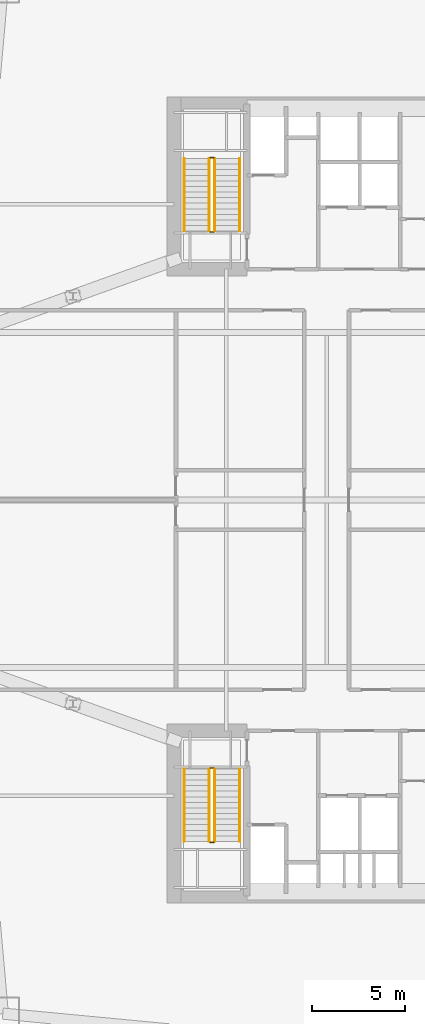
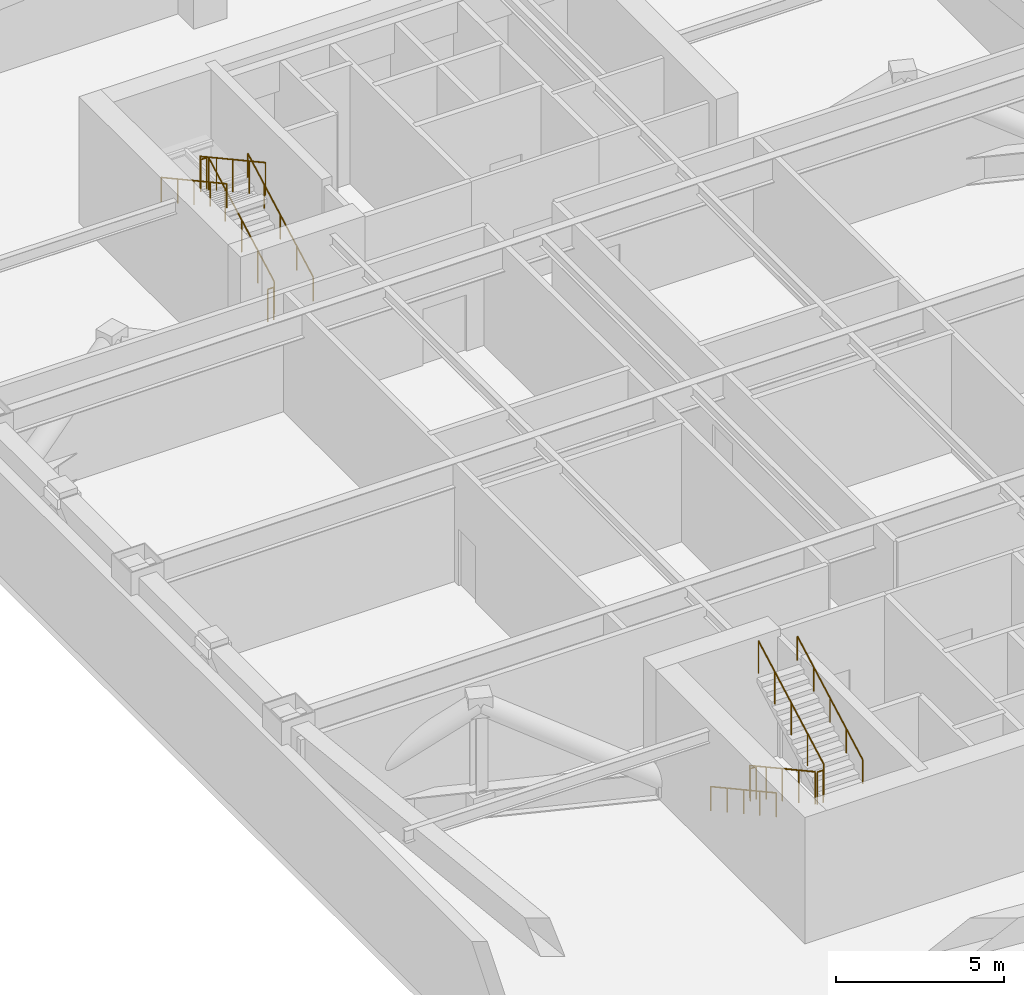
# One storey, part 15 of 16: 12 railings.
"""IFC4 building model written with IfcOpenShell, lengths in metres."""

from ifc_helpers import new_model, si_unit, direction, frame, origin, origin_2d, place, context, subcontext, project, spatial, circle, extrude, material, type_object, element, save


model = new_model("IFC4")

# Units and contexts
model_context = context("Model", 3, precision=1e-05, world=origin(), true_north=direction((0.0, 1.0)))
body_context = subcontext(model_context, "Body", "Model", "MODEL_VIEW")
ifc_project = project(units=[si_unit("LENGTHUNIT", "METRE"), si_unit("AREAUNIT", "SQUARE_METRE"), si_unit("VOLUMEUNIT", "CUBIC_METRE"), si_unit("PLANEANGLEUNIT", "RADIAN"), si_unit("MASSUNIT", "GRAM", prefix="KILO")], contexts=[model_context])

# Site, building, storey
site_placement = place(None, origin())
site = spatial("IfcSite", under=ifc_project, at=site_placement, CompositionType="ELEMENT")
building_placement = place(site_placement, origin())
building = spatial("IfcBuilding", under=site, at=building_placement, Name="Qiaolan Cultural Towers", CompositionType="ELEMENT")
storey_placement = place(building_placement, frame((0.0, 0.0, 46.0)))
storey = spatial("IfcBuildingStorey", under=building, at=storey_placement, Name="L10", CompositionType="ELEMENT", Elevation=46.0)

# Railings
ifc_material_1 = material(Name="Galvanized Painted Steel Stair Guardrail", Category="steel")
railing_type_1 = type_object("IfcRailingType", Name="RL-STAIR-GRD", PredefinedType="GUARDRAIL", material=ifc_material_1)
railing_1_placement = place(storey_placement, frame((23.68994140625, 19.550048828125, 0.164306640625)))
element("IfcRailing", 1, at=railing_1_placement, inside=storey, type_object=railing_type_1, Name="L10 ST-W1 stair guard 1", PredefinedType="GUARDRAIL", context=body_context, shape_type="SweptSolid", body=[
    extrude(circle(Radius=0.02392578125, at=origin_2d()), frame((0.0, 0.0, 1.17578125), z_axis=(0.0, -0.877101224295, 0.480305571839), x_axis=(1.0, 0.0, 0.0)), (0.0, 0.0, 1.0), 4.446533203125),
    extrude(circle(Radius=0.02099609375, at=origin_2d()), origin(), (0.0, 0.0, 1.0), 1.15185546875),
    extrude(circle(Radius=0.02099609375, at=origin_2d()), frame((0.0, -0.97509765625, 0.533935546875)), (0.0, 0.0, 1.0), 1.15185546875),
    extrude(circle(Radius=0.02099609375, at=origin_2d()), frame((0.0, -1.9501953125, 1.06787109375)), (0.0, 0.0, 1.0), 1.15185546875),
    extrude(circle(Radius=0.02099609375, at=origin_2d()), frame((0.0, -2.925048828125, 1.601806640625)), (0.0, 0.0, 1.0), 1.15185546875),
    extrude(circle(Radius=0.02099609375, at=origin_2d()), frame((0.0, -3.900146484375, 2.1357421875)), (0.0, 0.0, 1.0), 1.15185546875),
])
railing_2_placement = place(storey_placement, frame((23.739990234375, 15.60009765625, 2.300048828125)))
element("IfcRailing", 2, at=railing_2_placement, inside=storey, type_object=railing_type_1, Name="L10 ST-W1 stair guard 2", PredefinedType="GUARDRAIL", context=body_context, shape_type="SweptSolid", body=[
    extrude(circle(Radius=0.02392578125, at=origin_2d()), frame((0.0, 0.0, 1.17578125), z_axis=(1.0, 0.0, 0.0), x_axis=(0.0, 1.0, 0.0)), (0.0, 0.0, 1.0), 0.199951171875),
    extrude(circle(Radius=0.02099609375, at=origin_2d()), origin(), (0.0, 0.0, 1.0), 1.15185546875),
    extrude(circle(Radius=0.02099609375, at=origin_2d()), frame((0.199951171875, 0.0, 0.0)), (0.0, 0.0, 1.0), 1.15185546875),
])
railing_3_placement = place(storey_placement, frame((23.989990234375, 15.64990234375, 2.46435546875)))
element("IfcRailing", 3, at=railing_3_placement, inside=storey, type_object=railing_type_1, Name="L10 ST-W1 stair guard 3", PredefinedType="GUARDRAIL", context=body_context, shape_type="SweptSolid", body=[
    extrude(circle(Radius=0.02392578125, at=origin_2d()), frame((0.0, 0.0, 1.17578125), z_axis=(0.0, 0.877101224295, 0.480305571839), x_axis=(-1.0, 0.0, 0.0)), (0.0, 0.0, 1.0), 4.446533203125),
    extrude(circle(Radius=0.02099609375, at=origin_2d()), origin(), (0.0, 0.0, 1.0), 1.15185546875),
    extrude(circle(Radius=0.02099609375, at=origin_2d()), frame((0.0, 0.97509765625, 0.533935546875)), (0.0, 0.0, 1.0), 1.15185546875),
    extrude(circle(Radius=0.02099609375, at=origin_2d()), frame((0.0, 1.9501953125, 1.06787109375)), (0.0, 0.0, 1.0), 1.15185546875),
    extrude(circle(Radius=0.02099609375, at=origin_2d()), frame((0.0, 2.925048828125, 1.601806640625)), (0.0, 0.0, 1.0), 1.15185546875),
    extrude(circle(Radius=0.02099609375, at=origin_2d()), frame((0.0, 3.900146484375, 2.1357421875)), (0.0, 0.0, 1.0), 1.15185546875),
])
railing_4_placement = place(storey_placement, frame((23.739990234375, 19.60009765625, 0.0)))
element("IfcRailing", 4, at=railing_4_placement, inside=storey, type_object=railing_type_1, Name="L10 ST-W1 stair guard 4", PredefinedType="GUARDRAIL", context=body_context, shape_type="SweptSolid", body=[
    extrude(circle(Radius=0.02392578125, at=origin_2d()), frame((0.0, 0.0, 1.17578125), z_axis=(1.0, 0.0, 0.0), x_axis=(0.0, 1.0, 0.0)), (0.0, 0.0, 1.0), 0.199951171875),
    extrude(circle(Radius=0.02099609375, at=origin_2d()), origin(), (0.0, 0.0, 1.0), 1.15185546875),
    extrude(circle(Radius=0.02099609375, at=origin_2d()), frame((0.199951171875, 0.0, 0.0)), (0.0, 0.0, 1.0), 1.15185546875),
])
railing_5_placement = place(storey_placement, frame((23.989990234375, 48.449951171875, 0.164306640625)))
element("IfcRailing", 5, at=railing_5_placement, inside=storey, type_object=railing_type_1, Name="L10 ST-W2 stair guard 1", PredefinedType="GUARDRAIL", context=body_context, shape_type="SweptSolid", body=[
    extrude(circle(Radius=0.02392578125, at=origin_2d()), frame((0.0, 0.0, 1.17578125), z_axis=(0.0, 0.877101224295, 0.480305571839), x_axis=(-1.0, 0.0, 0.0)), (0.0, 0.0, 1.0), 4.446533203125),
    extrude(circle(Radius=0.02099609375, at=origin_2d()), origin(), (0.0, 0.0, 1.0), 1.15185546875),
    extrude(circle(Radius=0.02099609375, at=origin_2d()), frame((0.0, 0.97509765625, 0.533935546875)), (0.0, 0.0, 1.0), 1.15185546875),
    extrude(circle(Radius=0.02099609375, at=origin_2d()), frame((0.0, 1.9501953125, 1.06787109375)), (0.0, 0.0, 1.0), 1.15185546875),
    extrude(circle(Radius=0.02099609375, at=origin_2d()), frame((0.0, 2.925048828125, 1.601806640625)), (0.0, 0.0, 1.0), 1.15185546875),
    extrude(circle(Radius=0.02099609375, at=origin_2d()), frame((0.0, 3.900146484375, 2.1357421875)), (0.0, 0.0, 1.0), 1.15185546875),
])
railing_6_placement = place(storey_placement, frame((23.93994140625, 52.39990234375, 2.300048828125)))
element("IfcRailing", 6, at=railing_6_placement, inside=storey, type_object=railing_type_1, Name="L10 ST-W2 stair guard 2", PredefinedType="GUARDRAIL", context=body_context, shape_type="SweptSolid", body=[
    extrude(circle(Radius=0.02392578125, at=origin_2d()), frame((0.0, 0.0, 1.17578125), z_axis=(-1.0, 0.0, 0.0), x_axis=(0.0, -1.0, 0.0)), (0.0, 0.0, 1.0), 0.199951171875),
    extrude(circle(Radius=0.02099609375, at=origin_2d()), origin(), (0.0, 0.0, 1.0), 1.15185546875),
    extrude(circle(Radius=0.02099609375, at=origin_2d()), frame((-0.199951171875, 0.0, 0.0)), (0.0, 0.0, 1.0), 1.15185546875),
])
railing_7_placement = place(storey_placement, frame((23.68994140625, 52.35009765625, 2.46435546875)))
element("IfcRailing", 7, at=railing_7_placement, inside=storey, type_object=railing_type_1, Name="L10 ST-W2 stair guard 3", PredefinedType="GUARDRAIL", context=body_context, shape_type="SweptSolid", body=[
    extrude(circle(Radius=0.02392578125, at=origin_2d()), frame((0.0, 0.0, 1.17578125), z_axis=(0.0, -0.877101224295, 0.480305571839), x_axis=(1.0, 0.0, 0.0)), (0.0, 0.0, 1.0), 4.446533203125),
    extrude(circle(Radius=0.02099609375, at=origin_2d()), origin(), (0.0, 0.0, 1.0), 1.15185546875),
    extrude(circle(Radius=0.02099609375, at=origin_2d()), frame((0.0, -0.97509765625, 0.533935546875)), (0.0, 0.0, 1.0), 1.15185546875),
    extrude(circle(Radius=0.02099609375, at=origin_2d()), frame((0.0, -1.9501953125, 1.06787109375)), (0.0, 0.0, 1.0), 1.15185546875),
    extrude(circle(Radius=0.02099609375, at=origin_2d()), frame((0.0, -2.925048828125, 1.601806640625)), (0.0, 0.0, 1.0), 1.15185546875),
    extrude(circle(Radius=0.02099609375, at=origin_2d()), frame((0.0, -3.900146484375, 2.1357421875)), (0.0, 0.0, 1.0), 1.15185546875),
])
railing_8_placement = place(storey_placement, frame((23.93994140625, 48.39990234375, 0.0)))
element("IfcRailing", 8, at=railing_8_placement, inside=storey, type_object=railing_type_1, Name="L10 ST-W2 stair guard 4", PredefinedType="GUARDRAIL", context=body_context, shape_type="SweptSolid", body=[
    extrude(circle(Radius=0.02392578125, at=origin_2d()), frame((0.0, 0.0, 1.17578125), z_axis=(-1.0, 0.0, 0.0), x_axis=(0.0, -1.0, 0.0)), (0.0, 0.0, 1.0), 0.199951171875),
    extrude(circle(Radius=0.02099609375, at=origin_2d()), origin(), (0.0, 0.0, 1.0), 1.15185546875),
    extrude(circle(Radius=0.02099609375, at=origin_2d()), frame((-0.199951171875, 0.0, 0.0)), (0.0, 0.0, 1.0), 1.15185546875),
])
ifc_material_2 = material(Name="Stainless Steel S30408 Tubular Handrail", Category="steel")
railing_type_2 = type_object("IfcRailingType", Name="RL-STAIR-HR", PredefinedType="HANDRAIL", material=ifc_material_2)
railing_9_placement = place(storey_placement, frame((22.35009765625, 19.550048828125, 0.164306640625)))
element("IfcRailing", 9, at=railing_9_placement, inside=storey, type_object=railing_type_2, Name="L10 ST-W1 stair handrail 1", PredefinedType="HANDRAIL", context=body_context, shape_type="SweptSolid", body=[
    extrude(circle(Radius=0.02392578125, at=origin_2d()), frame((0.0, 0.0, 0.8759765625), z_axis=(0.0, -0.877101224295, 0.480305571839), x_axis=(1.0, 0.0, 0.0)), (0.0, 0.0, 1.0), 4.446533203125),
    extrude(circle(Radius=0.02099609375, at=origin_2d()), origin(), (0.0, 0.0, 1.0), 0.851806640625),
    extrude(circle(Radius=0.02099609375, at=origin_2d()), frame((0.0, -0.97509765625, 0.533935546875)), (0.0, 0.0, 1.0), 0.851806640625),
    extrude(circle(Radius=0.02099609375, at=origin_2d()), frame((0.0, -1.9501953125, 1.06787109375)), (0.0, 0.0, 1.0), 0.851806640625),
    extrude(circle(Radius=0.02099609375, at=origin_2d()), frame((0.0, -2.925048828125, 1.601806640625)), (0.0, 0.0, 1.0), 0.851806640625),
    extrude(circle(Radius=0.02099609375, at=origin_2d()), frame((0.0, -3.900146484375, 2.1357421875)), (0.0, 0.0, 1.0), 0.851806640625),
])
for number, where, name in (
    (10, (25.330078125, 15.64990234375, 2.46435546875), "L10 ST-W1 stair handrail 2"),
    (11, (25.330078125, 48.449951171875, 0.164306640625), "L10 ST-W2 stair handrail 1"),
):
    element("IfcRailing", number, at=place(storey_placement, frame(where)), inside=storey, type_object=railing_type_2, Name=name, PredefinedType="HANDRAIL", context=body_context, shape_type="SweptSolid", body=[
        extrude(circle(Radius=0.02392578125, at=origin_2d()), frame((0.0, 0.0, 0.8759765625), z_axis=(0.0, 0.877101224295, 0.480305571839), x_axis=(-1.0, 0.0, 0.0)), (0.0, 0.0, 1.0), 4.446533203125),
        extrude(circle(Radius=0.02099609375, at=origin_2d()), origin(), (0.0, 0.0, 1.0), 0.851806640625),
        extrude(circle(Radius=0.02099609375, at=origin_2d()), frame((0.0, 0.97509765625, 0.533935546875)), (0.0, 0.0, 1.0), 0.851806640625),
        extrude(circle(Radius=0.02099609375, at=origin_2d()), frame((0.0, 1.9501953125, 1.06787109375)), (0.0, 0.0, 1.0), 0.851806640625),
        extrude(circle(Radius=0.02099609375, at=origin_2d()), frame((0.0, 2.925048828125, 1.601806640625)), (0.0, 0.0, 1.0), 0.851806640625),
        extrude(circle(Radius=0.02099609375, at=origin_2d()), frame((0.0, 3.900146484375, 2.1357421875)), (0.0, 0.0, 1.0), 0.851806640625),
    ])
railing_10_placement = place(storey_placement, frame((22.35009765625, 52.35009765625, 2.46435546875)))
element("IfcRailing", 12, at=railing_10_placement, inside=storey, type_object=railing_type_2, Name="L10 ST-W2 stair handrail 2", PredefinedType="HANDRAIL", context=body_context, shape_type="SweptSolid", body=[
    extrude(circle(Radius=0.02392578125, at=origin_2d()), frame((0.0, 0.0, 0.8759765625), z_axis=(0.0, -0.877101224295, 0.480305571839), x_axis=(1.0, 0.0, 0.0)), (0.0, 0.0, 1.0), 4.446533203125),
    extrude(circle(Radius=0.02099609375, at=origin_2d()), origin(), (0.0, 0.0, 1.0), 0.851806640625),
    extrude(circle(Radius=0.02099609375, at=origin_2d()), frame((0.0, -0.97509765625, 0.533935546875)), (0.0, 0.0, 1.0), 0.851806640625),
    extrude(circle(Radius=0.02099609375, at=origin_2d()), frame((0.0, -1.9501953125, 1.06787109375)), (0.0, 0.0, 1.0), 0.851806640625),
    extrude(circle(Radius=0.02099609375, at=origin_2d()), frame((0.0, -2.925048828125, 1.601806640625)), (0.0, 0.0, 1.0), 0.851806640625),
    extrude(circle(Radius=0.02099609375, at=origin_2d()), frame((0.0, -3.900146484375, 2.1357421875)), (0.0, 0.0, 1.0), 0.851806640625),
])

save(model, "model.ifc")
